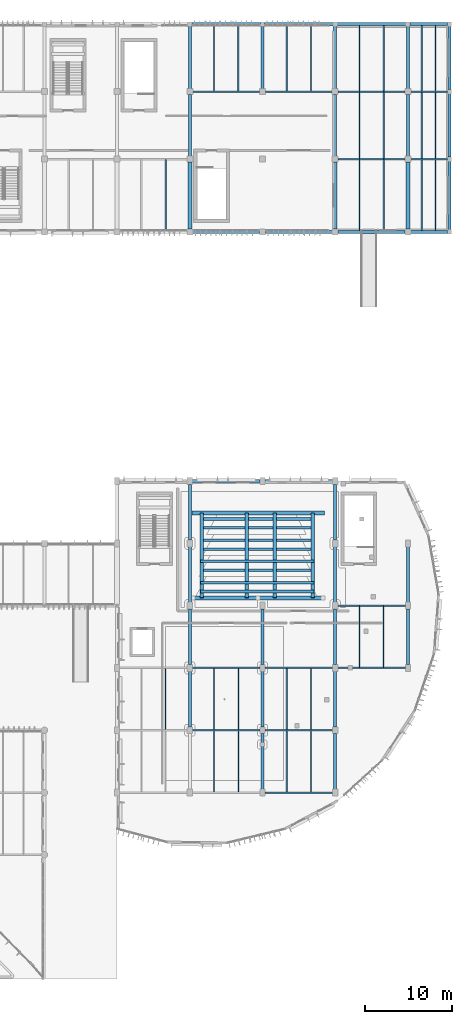
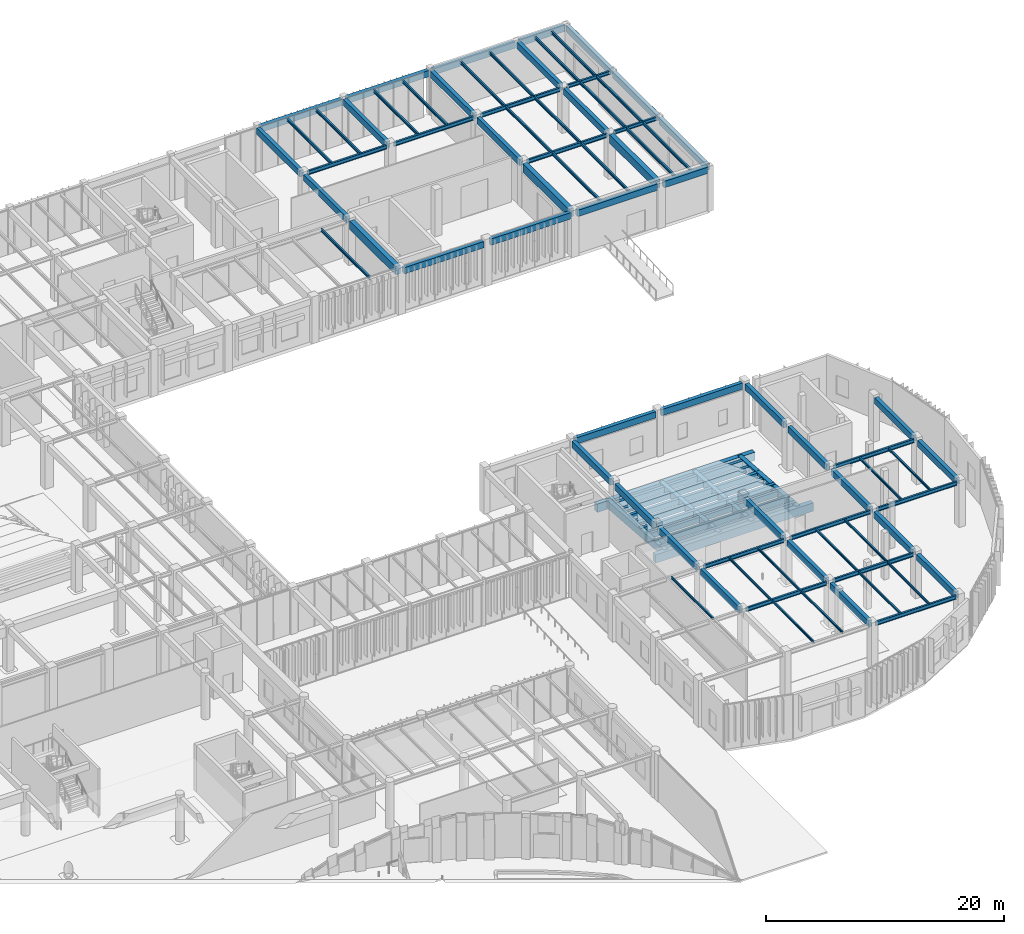
# One storey, part 14 of 122: 92 beams.
"""IFC4 building model written with IfcOpenShell, lengths in metres."""

from ifc_helpers import new_model, si_unit, direction, frame, origin, origin_2d, place, context, subcontext, project, spatial, rectangle, i_section, extrude, material, material_profile, profile_set, type_object, element, save


model = new_model("IFC4")

# Units and contexts
model_context = context("Model", 3, precision=1e-05, world=origin(), true_north=direction((0.0, 1.0)))
body_context = subcontext(model_context, "Body", "Model", "MODEL_VIEW")
ifc_project = project(units=[si_unit("LENGTHUNIT", "METRE"), si_unit("AREAUNIT", "SQUARE_METRE"), si_unit("VOLUMEUNIT", "CUBIC_METRE"), si_unit("PLANEANGLEUNIT", "RADIAN"), si_unit("MASSUNIT", "GRAM", prefix="KILO")], contexts=[model_context])

# Site, building, storey
site_placement = place(None, origin())
site = spatial("IfcSite", under=ifc_project, at=site_placement, CompositionType="ELEMENT")
building_placement = place(site_placement, origin())
building = spatial("IfcBuilding", under=site, at=building_placement, Name="Tazoul Stagehouse", CompositionType="ELEMENT")
storey_placement = place(building_placement, origin())
storey = spatial("IfcBuildingStorey", under=building, at=storey_placement, Name="L00", CompositionType="ELEMENT", Elevation=0.0)

# Beams
ifc_material_1 = material(Name="Concrete C40/50", Category="concrete")
ifc_material_profile_1 = material_profile(ifc_material_1, rectangle(XDim=0.39990234375, YDim=0.75, at=origin_2d()), Name="RC 400x750")
ifc_profile_set_1 = profile_set([ifc_material_profile_1], Name="Concrete C40/50")
beam_type_1 = type_object("IfcBeamType", Name="RC Auditorium Raker Girder 400x750", PredefinedType="BEAM", material=ifc_profile_set_1)
for number, where, z_axis, x_axis, name in (
    (1, (135.199951171875, 55.300048828125, -0.300048828125), (0.0, -0.997084363037, 0.076307096566), (1.0, 0.0, 0.0), "RAKER V4-STUDIO RB-01-01"),
    (2, (140.39990234375, 55.300048828125, -0.300048828125), (0.0, -0.997084363037, 0.076307096566), (1.0, 0.0, 0.0), "RAKER V4-STUDIO RB-01-02"),
    (3, (143.60009765625, 55.300048828125, -0.300048828125), (0.0, -0.997084363037, 0.076307096566), (1.0, 0.0, 0.0), "RAKER V4-STUDIO RB-01-03"),
    (4, (148.0, 55.300048828125, -0.300048828125), (0.0, -0.997084363037, 0.076307096566), (1.0, 0.0, 0.0), "RAKER V4-STUDIO RB-01-04"),
):
    element("IfcBeam", number, at=place(storey_placement, frame(where, z_axis=z_axis, x_axis=x_axis)), inside=storey, type_object=beam_type_1, Name=name, PredefinedType="BEAM", context=body_context, shape_type="SweptSolid", body=[
        extrude(rectangle(XDim=0.39990234375, YDim=0.75, at=origin_2d()), origin(), (0.0, 0.0, 1.0), 9.82861328125),
    ])
ifc_material_profile_2 = material_profile(ifc_material_1, rectangle(XDim=0.35009765625, YDim=0.64990234375, at=origin_2d()), Name="RC 350x650")
ifc_profile_set_2 = profile_set([ifc_material_profile_2], Name="Concrete C40/50")
beam_type_2 = type_object("IfcBeamType", Name="RC Perimeter Spandrel 350x650 (Exterior)", PredefinedType="SPANDREL", material=ifc_profile_set_2)
beam_1_placement = place(storey_placement, frame((134.074951171875, 59.0, 4.212890625), z_axis=(1.0, 0.0, 0.0), x_axis=(0.0, 1.0, 0.0)))
element("IfcBeam", 5, at=beam_1_placement, inside=storey, type_object=beam_type_2, Name="L00 Beam SP-01E J/20-21", PredefinedType="SPANDREL", context=body_context, shape_type="SweptSolid", body=[
    extrude(rectangle(XDim=0.35009765625, YDim=0.64990234375, at=origin_2d()), origin(), (0.0, 0.0, 1.0), 7.85009765625),
])
beam_2_placement = place(storey_placement, frame((142.47509765625, 59.0, 4.212890625), z_axis=(1.0, 0.0, 0.0), x_axis=(0.0, 1.0, 0.0)))
element("IfcBeam", 6, at=beam_2_placement, inside=storey, type_object=beam_type_2, Name="L00 Beam SP-01E J/21-22", PredefinedType="SPANDREL", context=body_context, shape_type="SweptSolid", body=[
    extrude(rectangle(XDim=0.35009765625, YDim=0.64990234375, at=origin_2d()), origin(), (0.0, 0.0, 1.0), 7.849853515625),
])
for number, where, z_axis, x_axis, name in (
    (7, (134.125, 87.800048828125, 4.212890625), (1.0, 0.0, 0.0), (0.0, 1.0, 0.0), "L00 Beam SP-01E N/20-21"),
    (8, (142.52490234375, 87.800048828125, 4.212890625), (1.0, 0.0, 0.0), (0.0, 1.0, 0.0), "L00 Beam SP-01E N/21-22"),
    (9, (150.925048828125, 87.800048828125, 4.212890625), (1.0, 0.0, 0.0), (0.0, 1.0, 0.0), "L00 Beam SP-01E N/22-23"),
):
    element("IfcBeam", number, at=place(storey_placement, frame(where, z_axis=z_axis, x_axis=x_axis)), inside=storey, type_object=beam_type_2, Name=name, PredefinedType="SPANDREL", context=body_context, shape_type="SweptSolid", body=[
        extrude(rectangle(XDim=0.35009765625, YDim=0.64990234375, at=origin_2d()), origin(), (0.0, 0.0, 1.0), 7.75),
    ])
beam_3_placement = place(storey_placement, frame((159.324951171875, 87.800048828125, 4.23291015625), z_axis=(1.0, 0.0, 0.0), x_axis=(0.0, 1.0, 0.0)))
element("IfcBeam", 10, at=beam_3_placement, inside=storey, type_object=beam_type_2, Name="L00 Beam SP-01E N/23-24", PredefinedType="SPANDREL", context=body_context, shape_type="SweptSolid", body=[
    extrude(rectangle(XDim=0.35009765625, YDim=0.64990234375, at=origin_2d()), origin(), (0.0, 0.0, 1.0), 4.25),
])
beam_4_placement = place(storey_placement, frame((134.02490234375, 111.800048828125, 4.212890625), z_axis=(1.0, 0.0, 0.0), x_axis=(0.0, 1.0, 0.0)))
element("IfcBeam", 11, at=beam_4_placement, inside=storey, type_object=beam_type_2, Name="L00 Beam SP-01E R/20-21", PredefinedType="SPANDREL", context=body_context, shape_type="SweptSolid", body=[
    extrude(rectangle(XDim=0.35009765625, YDim=0.64990234375, at=origin_2d()), origin(), (0.0, 0.0, 1.0), 7.9501953125),
])
for number, where, z_axis, x_axis, name in (
    (12, (142.425048828125, 111.800048828125, 4.212890625), (1.0, 0.0, 0.0), (0.0, 1.0, 0.0), "L00 Beam SP-01E R/21-22"),
    (13, (150.824951171875, 111.800048828125, 4.212890625), (1.0, 0.0, 0.0), (0.0, 1.0, 0.0), "L00 Beam SP-01E R/22-23"),
):
    element("IfcBeam", number, at=place(storey_placement, frame(where, z_axis=z_axis, x_axis=x_axis)), inside=storey, type_object=beam_type_2, Name=name, PredefinedType="SPANDREL", context=body_context, shape_type="SweptSolid", body=[
        extrude(rectangle(XDim=0.35009765625, YDim=0.64990234375, at=origin_2d()), origin(), (0.0, 0.0, 1.0), 7.949951171875),
    ])
beam_5_placement = place(storey_placement, frame((159.22509765625, 111.800048828125, 4.23291015625), z_axis=(1.0, 0.0, 0.0), x_axis=(0.0, 1.0, 0.0)))
element("IfcBeam", 14, at=beam_5_placement, inside=storey, type_object=beam_type_2, Name="L00 Beam SP-01E R/23-24", PredefinedType="SPANDREL", context=body_context, shape_type="SweptSolid", body=[
    extrude(rectangle(XDim=0.35009765625, YDim=0.64990234375, at=origin_2d()), origin(), (0.0, 0.0, 1.0), 4.349853515625),
])
beam_6_placement = place(storey_placement, frame((163.800048828125, 88.02490234375, 4.23291015625), z_axis=(0.0, 1.0, 0.0), x_axis=(-1.0, 0.0, 0.0)))
element("IfcBeam", 15, at=beam_6_placement, inside=storey, type_object=beam_type_2, Name="L00 Beam SP-01E 24/N-P", PredefinedType="SPANDREL", context=body_context, shape_type="SweptSolid", body=[
    extrude(rectangle(XDim=0.35009765625, YDim=0.64990234375, at=origin_2d()), origin(), (0.0, 0.0, 1.0), 7.9501953125),
])
for number, where, z_axis, x_axis, name in (
    (16, (163.800048828125, 96.425048828125, 4.23291015625), (0.0, 1.0, 0.0), (-1.0, 0.0, 0.0), "L00 Beam SP-01E 24/P-Q"),
    (17, (163.800048828125, 104.22509765625, 4.23291015625), (0.0, 1.0, 0.0), (-1.0, 0.0, 0.0), "L00 Beam SP-01E 24/Q-R"),
):
    element("IfcBeam", number, at=place(storey_placement, frame(where, z_axis=z_axis, x_axis=x_axis)), inside=storey, type_object=beam_type_2, Name=name, PredefinedType="SPANDREL", context=body_context, shape_type="SweptSolid", body=[
        extrude(rectangle(XDim=0.35009765625, YDim=0.64990234375, at=origin_2d()), origin(), (0.0, 0.0, 1.0), 7.349853515625),
    ])
ifc_material_profile_3 = material_profile(ifc_material_1, rectangle(XDim=0.35009765625, YDim=0.64990234375, at=origin_2d()), Name="RC 350x650")
ifc_profile_set_3 = profile_set([ifc_material_profile_3], Name="Concrete C40/50")
beam_type_3 = type_object("IfcBeamType", Name="RC Primary Girder 350x650", PredefinedType="BEAM", material=ifc_profile_set_3)
beam_7_placement = place(storey_placement, frame((133.800048828125, 30.574951171875, 4.212890625), z_axis=(0.0, 1.0, 0.0), x_axis=(-1.0, 0.0, 0.0)))
element("IfcBeam", 18, at=beam_7_placement, inside=storey, type_object=beam_type_3, Name="L00 Beam BM-01 20/E-F", PredefinedType="BEAM", context=body_context, shape_type="SweptSolid", body=[
    extrude(rectangle(XDim=0.35009765625, YDim=0.64990234375, at=origin_2d()), origin(), (0.0, 0.0, 1.0), 6.449951171875),
])
beam_8_placement = place(storey_placement, frame((133.800048828125, 37.77490234375, 4.212890625), z_axis=(0.0, 1.0, 0.0), x_axis=(-1.0, 0.0, 0.0)))
element("IfcBeam", 19, at=beam_8_placement, inside=storey, type_object=beam_type_3, Name="L00 Beam BM-01 20/F-G", PredefinedType="BEAM", context=body_context, shape_type="SweptSolid", body=[
    extrude(rectangle(XDim=0.35009765625, YDim=0.64990234375, at=origin_2d()), origin(), (0.0, 0.0, 1.0), 6.4501953125),
])
for number, where, z_axis, x_axis, name in (
    (20, (133.800048828125, 44.97509765625, 4.212890625), (0.0, 1.0, 0.0), (-1.0, 0.0, 0.0), "L00 Beam BM-01 20/G-H"),
    (21, (133.800048828125, 52.175048828125, 4.212890625), (0.0, 1.0, 0.0), (-1.0, 0.0, 0.0), "L00 Beam BM-01 20/H-J"),
):
    element("IfcBeam", number, at=place(storey_placement, frame(where, z_axis=z_axis, x_axis=x_axis)), inside=storey, type_object=beam_type_3, Name=name, PredefinedType="BEAM", context=body_context, shape_type="SweptSolid", body=[
        extrude(rectangle(XDim=0.35009765625, YDim=0.64990234375, at=origin_2d()), origin(), (0.0, 0.0, 1.0), 6.449951171875),
    ])
beam_9_placement = place(storey_placement, frame((133.800048828125, 96.52490234375, 4.212890625), z_axis=(0.0, 1.0, 0.0), x_axis=(-1.0, 0.0, 0.0)))
element("IfcBeam", 22, at=beam_9_placement, inside=storey, type_object=beam_type_3, Name="L00 Beam BM-01 20/P-Q", PredefinedType="BEAM", context=body_context, shape_type="SweptSolid", body=[
    extrude(rectangle(XDim=0.35009765625, YDim=0.64990234375, at=origin_2d()), origin(), (0.0, 0.0, 1.0), 7.150146484375),
])
beam_10_placement = place(storey_placement, frame((133.800048828125, 104.324951171875, 4.212890625), z_axis=(0.0, 1.0, 0.0), x_axis=(-1.0, 0.0, 0.0)))
element("IfcBeam", 23, at=beam_10_placement, inside=storey, type_object=beam_type_3, Name="L00 Beam BM-01 20/Q-R", PredefinedType="BEAM", context=body_context, shape_type="SweptSolid", body=[
    extrude(rectangle(XDim=0.35009765625, YDim=0.64990234375, at=origin_2d()), origin(), (0.0, 0.0, 1.0), 7.25),
])
for number, where, z_axis, x_axis, name in (
    (24, (142.199951171875, 23.375, 4.212890625), (0.0, 1.0, 0.0), (-1.0, 0.0, 0.0), "L00 Beam BM-01 21/D-E"),
    (25, (142.199951171875, 30.574951171875, 4.212890625), (0.0, 1.0, 0.0), (-1.0, 0.0, 0.0), "L00 Beam BM-01 21/E-F"),
):
    element("IfcBeam", number, at=place(storey_placement, frame(where, z_axis=z_axis, x_axis=x_axis)), inside=storey, type_object=beam_type_3, Name=name, PredefinedType="BEAM", context=body_context, shape_type="SweptSolid", body=[
        extrude(rectangle(XDim=0.35009765625, YDim=0.64990234375, at=origin_2d()), origin(), (0.0, 0.0, 1.0), 6.449951171875),
    ])
beam_11_placement = place(storey_placement, frame((142.199951171875, 37.77490234375, 4.212890625), z_axis=(0.0, 1.0, 0.0), x_axis=(-1.0, 0.0, 0.0)))
element("IfcBeam", 26, at=beam_11_placement, inside=storey, type_object=beam_type_3, Name="L00 Beam BM-01 21/F-G", PredefinedType="BEAM", context=body_context, shape_type="SweptSolid", body=[
    extrude(rectangle(XDim=0.35009765625, YDim=0.64990234375, at=origin_2d()), origin(), (0.0, 0.0, 1.0), 6.4501953125),
])
beam_12_placement = place(storey_placement, frame((142.199951171875, 104.324951171875, 4.212890625), z_axis=(0.0, 1.0, 0.0), x_axis=(-1.0, 0.0, 0.0)))
element("IfcBeam", 27, at=beam_12_placement, inside=storey, type_object=beam_type_3, Name="L00 Beam BM-01 21/Q-R", PredefinedType="BEAM", context=body_context, shape_type="SweptSolid", body=[
    extrude(rectangle(XDim=0.35009765625, YDim=0.64990234375, at=origin_2d()), origin(), (0.0, 0.0, 1.0), 7.25),
])
for number, where, z_axis, x_axis, name in (
    (28, (150.60009765625, 23.375, 4.212890625), (0.0, 1.0, 0.0), (-1.0, 0.0, 0.0), "L00 Beam BM-01 22/D-E"),
    (29, (150.60009765625, 30.574951171875, 4.212890625), (0.0, 1.0, 0.0), (-1.0, 0.0, 0.0), "L00 Beam BM-01 22/E-F"),
):
    element("IfcBeam", number, at=place(storey_placement, frame(where, z_axis=z_axis, x_axis=x_axis)), inside=storey, type_object=beam_type_3, Name=name, PredefinedType="BEAM", context=body_context, shape_type="SweptSolid", body=[
        extrude(rectangle(XDim=0.35009765625, YDim=0.64990234375, at=origin_2d()), origin(), (0.0, 0.0, 1.0), 6.449951171875),
    ])
beam_13_placement = place(storey_placement, frame((150.60009765625, 37.77490234375, 4.212890625), z_axis=(0.0, 1.0, 0.0), x_axis=(-1.0, 0.0, 0.0)))
element("IfcBeam", 30, at=beam_13_placement, inside=storey, type_object=beam_type_3, Name="L00 Beam BM-01 22/F-G", PredefinedType="BEAM", context=body_context, shape_type="SweptSolid", body=[
    extrude(rectangle(XDim=0.35009765625, YDim=0.64990234375, at=origin_2d()), origin(), (0.0, 0.0, 1.0), 6.4501953125),
])
for number, where, z_axis, x_axis, name in (
    (31, (150.60009765625, 44.97509765625, 4.212890625), (0.0, 1.0, 0.0), (-1.0, 0.0, 0.0), "L00 Beam BM-01 22/G-H"),
    (32, (150.60009765625, 52.175048828125, 4.212890625), (0.0, 1.0, 0.0), (-1.0, 0.0, 0.0), "L00 Beam BM-01 22/H-J"),
):
    element("IfcBeam", number, at=place(storey_placement, frame(where, z_axis=z_axis, x_axis=x_axis)), inside=storey, type_object=beam_type_3, Name=name, PredefinedType="BEAM", context=body_context, shape_type="SweptSolid", body=[
        extrude(rectangle(XDim=0.35009765625, YDim=0.64990234375, at=origin_2d()), origin(), (0.0, 0.0, 1.0), 6.449951171875),
    ])
beam_14_placement = place(storey_placement, frame((150.60009765625, 96.52490234375, 4.212890625), z_axis=(0.0, 1.0, 0.0), x_axis=(-1.0, 0.0, 0.0)))
element("IfcBeam", 33, at=beam_14_placement, inside=storey, type_object=beam_type_3, Name="L00 Beam BM-01 22/P-Q", PredefinedType="BEAM", context=body_context, shape_type="SweptSolid", body=[
    extrude(rectangle(XDim=0.35009765625, YDim=0.64990234375, at=origin_2d()), origin(), (0.0, 0.0, 1.0), 7.150146484375),
])
beam_15_placement = place(storey_placement, frame((150.60009765625, 104.324951171875, 4.212890625), z_axis=(0.0, 1.0, 0.0), x_axis=(-1.0, 0.0, 0.0)))
element("IfcBeam", 34, at=beam_15_placement, inside=storey, type_object=beam_type_3, Name="L00 Beam BM-01 22/Q-R", PredefinedType="BEAM", context=body_context, shape_type="SweptSolid", body=[
    extrude(rectangle(XDim=0.35009765625, YDim=0.64990234375, at=origin_2d()), origin(), (0.0, 0.0, 1.0), 7.25),
])
beam_16_placement = place(storey_placement, frame((159.0, 37.77490234375, 4.212890625), z_axis=(0.0, 1.0, 0.0), x_axis=(-1.0, 0.0, 0.0)))
element("IfcBeam", 35, at=beam_16_placement, inside=storey, type_object=beam_type_3, Name="L00 Beam BM-01 23/F-G", PredefinedType="BEAM", context=body_context, shape_type="SweptSolid", body=[
    extrude(rectangle(XDim=0.35009765625, YDim=0.64990234375, at=origin_2d()), origin(), (0.0, 0.0, 1.0), 6.4501953125),
])
beam_17_placement = place(storey_placement, frame((159.0, 44.97509765625, 4.212890625), z_axis=(0.0, 1.0, 0.0), x_axis=(-1.0, 0.0, 0.0)))
element("IfcBeam", 36, at=beam_17_placement, inside=storey, type_object=beam_type_3, Name="L00 Beam BM-01 23/G-H", PredefinedType="BEAM", context=body_context, shape_type="SweptSolid", body=[
    extrude(rectangle(XDim=0.35009765625, YDim=0.64990234375, at=origin_2d()), origin(), (0.0, 0.0, 1.0), 6.449951171875),
])
beam_18_placement = place(storey_placement, frame((159.0, 96.52490234375, 4.23291015625), z_axis=(0.0, 1.0, 0.0), x_axis=(-1.0, 0.0, 0.0)))
element("IfcBeam", 37, at=beam_18_placement, inside=storey, type_object=beam_type_3, Name="L00 Beam BM-01 23/P-Q", PredefinedType="BEAM", context=body_context, shape_type="SweptSolid", body=[
    extrude(rectangle(XDim=0.35009765625, YDim=0.64990234375, at=origin_2d()), origin(), (0.0, 0.0, 1.0), 7.150146484375),
])
beam_19_placement = place(storey_placement, frame((159.0, 104.324951171875, 4.23291015625), z_axis=(0.0, 1.0, 0.0), x_axis=(-1.0, 0.0, 0.0)))
element("IfcBeam", 38, at=beam_19_placement, inside=storey, type_object=beam_type_3, Name="L00 Beam BM-01 23/Q-R", PredefinedType="BEAM", context=body_context, shape_type="SweptSolid", body=[
    extrude(rectangle(XDim=0.35009765625, YDim=0.64990234375, at=origin_2d()), origin(), (0.0, 0.0, 1.0), 7.25),
])
ifc_material_profile_4 = material_profile(ifc_material_1, rectangle(XDim=0.449951171875, YDim=0.85009765625, at=origin_2d()), Name="RC 450x850")
ifc_profile_set_4 = profile_set([ifc_material_profile_4], Name="Concrete C40/50")
beam_type_4 = type_object("IfcBeamType", Name="RC Primary Girder 450x850", PredefinedType="BEAM", material=ifc_profile_set_4)
for number, where, z_axis, x_axis, name in (
    (39, (133.800048828125, 88.125, 4.113037109375), (0.0, 1.0, 0.0), (-1.0, 0.0, 0.0), "L00 Beam BM-03 20/N-P"),
    (40, (150.60009765625, 88.125, 4.113037109375), (0.0, 1.0, 0.0), (-1.0, 0.0, 0.0), "L00 Beam BM-03 22/N-P"),
    (41, (159.0, 88.125, 4.133056640625), (0.0, 1.0, 0.0), (-1.0, 0.0, 0.0), "L00 Beam BM-03 23/N-P"),
):
    element("IfcBeam", number, at=place(storey_placement, frame(where, z_axis=z_axis, x_axis=x_axis)), inside=storey, type_object=beam_type_4, Name=name, PredefinedType="BEAM", context=body_context, shape_type="SweptSolid", body=[
        extrude(rectangle(XDim=0.449951171875, YDim=0.85009765625, at=origin_2d()), origin(), (0.0, 0.0, 1.0), 7.75),
    ])
for number, where, z_axis, x_axis, name in (
    (42, (134.050048828125, 55.300048828125, -0.3701171875), (1.0, 0.0, 0.0), (0.0, 1.0, 0.0), "L00 Bowl FRT Carrier Girder BM-03 (V4-STUDIO)"),
    (43, (134.050048828125, 45.5, 0.3798828125), (1.0, 0.0, 0.0), (0.0, 1.0, 0.0), "L00 Bowl RER Carrier Girder BM-03 (V4-STUDIO)"),
):
    element("IfcBeam", number, at=place(storey_placement, frame(where, z_axis=z_axis, x_axis=x_axis)), inside=storey, type_object=beam_type_4, Name=name, PredefinedType="BEAM", context=body_context, shape_type="SweptSolid", body=[
        extrude(rectangle(XDim=0.449951171875, YDim=0.85009765625, at=origin_2d()), origin(), (0.0, 0.0, 1.0), 15.300048828125),
    ])
ifc_material_2 = material(Name="Concrete C35/45", Category="concrete")
ifc_material_profile_5 = material_profile(ifc_material_2, rectangle(XDim=0.300048828125, YDim=0.550048828125, at=origin_2d()), Name="RC 300x550")
ifc_profile_set_5 = profile_set([ifc_material_profile_5], Name="Concrete C35/45")
beam_type_5 = type_object("IfcBeamType", Name="RC Rib Joist 300x550", PredefinedType="JOIST", material=ifc_profile_set_5)
for number, where, z_axis, x_axis, name in (
    (44, (135.050048828125, 53.5849609375, -0.219970703125), (1.0, 0.0, 0.0), (0.0, 1.0, 0.0), "L00 Tier Transverse Rib JS-06 (V4-STUDIO-R01A)"),
    (45, (135.050048828125, 54.614013671875, -0.219970703125), (1.0, 0.0, 0.0), (0.0, 1.0, 0.0), "L00 Tier Transverse Rib JS-06 (V4-STUDIO-R01B)"),
    (46, (135.050048828125, 51.135009765625, 0.030029296875), (1.0, 0.0, 0.0), (0.0, 1.0, 0.0), "L00 Tier Transverse Rib JS-06 (V4-STUDIO-R02A)"),
    (47, (135.050048828125, 52.1640625, 0.030029296875), (1.0, 0.0, 0.0), (0.0, 1.0, 0.0), "L00 Tier Transverse Rib JS-06 (V4-STUDIO-R02B)"),
    (48, (135.050048828125, 48.68505859375, 0.280029296875), (1.0, 0.0, 0.0), (0.0, 1.0, 0.0), "L00 Tier Transverse Rib JS-06 (V4-STUDIO-R03A)"),
    (49, (135.050048828125, 49.714111328125, 0.280029296875), (1.0, 0.0, 0.0), (0.0, 1.0, 0.0), "L00 Tier Transverse Rib JS-06 (V4-STUDIO-R03B)"),
    (50, (135.050048828125, 46.235107421875, 0.530029296875), (1.0, 0.0, 0.0), (0.0, 1.0, 0.0), "L00 Tier Transverse Rib JS-06 (V4-STUDIO-R04A)"),
    (51, (135.050048828125, 47.263916015625, 0.530029296875), (1.0, 0.0, 0.0), (0.0, 1.0, 0.0), "L00 Tier Transverse Rib JS-06 (V4-STUDIO-R04B)"),
):
    element("IfcBeam", number, at=place(storey_placement, frame(where, z_axis=z_axis, x_axis=x_axis)), inside=storey, type_object=beam_type_5, Name=name, PredefinedType="JOIST", context=body_context, shape_type="SweptSolid", body=[
        extrude(rectangle(XDim=0.300048828125, YDim=0.550048828125, at=origin_2d()), origin(), (0.0, 0.0, 1.0), 13.099853515625),
    ])
ifc_material_3 = material(Name="Steel S355", Category="steel")
ifc_material_profile_6 = material_profile(ifc_material_3, i_section(OverallWidth=0.1201171875, OverallDepth=0.239990234375, WebThickness=0.006103515625, FlangeThickness=0.009765625, FilletRadius=0.014892578125, at=origin_2d()), Name="IPE 240")
ifc_profile_set_6 = profile_set([ifc_material_profile_6], Name="Steel S355")
beam_type_6 = type_object("IfcBeamType", Name="Steel Floor Joist IPE 240", PredefinedType="JOIST", material=ifc_profile_set_6)
for number, where, z_axis, x_axis, name in (
    (52, (136.60009765625, 23.06494140625, 4.41796875), (0.0, 1.0, 0.0), (-1.0, 0.0, 0.0), "L00 Joist JS-01 20/D-1"),
    (53, (139.39990234375, 23.06494140625, 4.41796875), (0.0, 1.0, 0.0), (-1.0, 0.0, 0.0), "L00 Joist JS-01 20/D-2"),
    (54, (145.0, 23.06494140625, 4.41796875), (0.0, 1.0, 0.0), (-1.0, 0.0, 0.0), "L00 Joist JS-01 21/D-1"),
    (55, (147.800048828125, 23.06494140625, 4.41796875), (0.0, 1.0, 0.0), (-1.0, 0.0, 0.0), "L00 Joist JS-01 21/D-2"),
    (56, (131.0, 30.264892578125, 4.41796875), (0.0, 1.0, 0.0), (-1.0, 0.0, 0.0), "L00 Joist JS-01 19/E-2"),
    (57, (136.60009765625, 30.264892578125, 4.41796875), (0.0, 1.0, 0.0), (-1.0, 0.0, 0.0), "L00 Joist JS-01 20/E-1"),
    (58, (139.39990234375, 30.264892578125, 4.41796875), (0.0, 1.0, 0.0), (-1.0, 0.0, 0.0), "L00 Joist JS-01 20/E-2"),
    (59, (145.0, 30.264892578125, 4.41796875), (0.0, 1.0, 0.0), (-1.0, 0.0, 0.0), "L00 Joist JS-01 21/E-1"),
    (60, (147.800048828125, 30.264892578125, 4.41796875), (0.0, 1.0, 0.0), (-1.0, 0.0, 0.0), "L00 Joist JS-01 21/E-2"),
):
    element("IfcBeam", number, at=place(storey_placement, frame(where, z_axis=z_axis, x_axis=x_axis)), inside=storey, type_object=beam_type_6, Name=name, PredefinedType="JOIST", context=body_context, shape_type="SweptSolid", body=[
        extrude(i_section(OverallWidth=0.1201171875, OverallDepth=0.239990234375, WebThickness=0.006103515625, FlangeThickness=0.009765625, FilletRadius=0.014892578125, at=origin_2d()), origin(), (0.0, 0.0, 1.0), 7.070068359375),
    ])
for number, where, z_axis, x_axis, name in (
    (61, (153.39990234375, 37.465087890625, 4.41796875), (0.0, 1.0, 0.0), (-1.0, 0.0, 0.0), "L00 Joist JS-01 22/F-1"),
    (62, (156.199951171875, 37.465087890625, 4.41796875), (0.0, 1.0, 0.0), (-1.0, 0.0, 0.0), "L00 Joist JS-01 22/F-2"),
):
    element("IfcBeam", number, at=place(storey_placement, frame(where, z_axis=z_axis, x_axis=x_axis)), inside=storey, type_object=beam_type_6, Name=name, PredefinedType="JOIST", context=body_context, shape_type="SweptSolid", body=[
        extrude(i_section(OverallWidth=0.1201171875, OverallDepth=0.239990234375, WebThickness=0.006103515625, FlangeThickness=0.009765625, FilletRadius=0.014892578125, at=origin_2d()), origin(), (0.0, 0.0, 1.0), 7.06982421875),
    ])
ifc_material_profile_7 = material_profile(ifc_material_3, i_section(OverallWidth=0.169921875, OverallDepth=0.360107421875, WebThickness=0.008056640625, FlangeThickness=0.0126953125, FilletRadius=0.01806640625, at=origin_2d()), Name="IPE 360")
ifc_profile_set_7 = profile_set([ifc_material_profile_7], Name="Steel S355")
beam_type_7 = type_object("IfcBeamType", Name="Steel Primary Girder IPE 360", PredefinedType="BEAM", material=ifc_profile_set_7)
for number, where, z_axis, x_axis, name in (
    (63, (159.324951171875, 96.199951171875, 4.3779296875), (1.0, 0.0, 0.0), (0.0, 1.0, 0.0), "L00 Beam SB-01 P/23-24"),
    (64, (159.324951171875, 104.0, 4.3779296875), (1.0, 0.0, 0.0), (0.0, 1.0, 0.0), "L00 Beam SB-01 Q/23-24"),
):
    element("IfcBeam", number, at=place(storey_placement, frame(where, z_axis=z_axis, x_axis=x_axis)), inside=storey, type_object=beam_type_7, Name=name, PredefinedType="BEAM", context=body_context, shape_type="SweptSolid", body=[
        extrude(i_section(OverallWidth=0.169921875, OverallDepth=0.360107421875, WebThickness=0.008056640625, FlangeThickness=0.0126953125, FilletRadius=0.01806640625, at=origin_2d()), origin(), (0.0, 0.0, 1.0), 4.25),
    ])
ifc_material_profile_8 = material_profile(ifc_material_3, i_section(OverallWidth=0.179931640625, OverallDepth=0.39990234375, WebThickness=0.008544921875, FlangeThickness=0.013427734375, FilletRadius=0.02099609375, at=origin_2d()), Name="IPE 400")
ifc_profile_set_8 = profile_set([ifc_material_profile_8], Name="Steel S355")
beam_type_8 = type_object("IfcBeamType", Name="Steel Primary Girder IPE 400", PredefinedType="BEAM", material=ifc_profile_set_8)
beam_20_placement = place(storey_placement, frame((142.47509765625, 23.0, 4.337890625), z_axis=(1.0, 0.0, 0.0), x_axis=(0.0, 1.0, 0.0)))
element("IfcBeam", 65, at=beam_20_placement, inside=storey, type_object=beam_type_8, Name="L00 Beam SB-02 D/21-22", PredefinedType="BEAM", context=body_context, shape_type="SweptSolid", body=[
    extrude(i_section(OverallWidth=0.179931640625, OverallDepth=0.39990234375, WebThickness=0.008544921875, FlangeThickness=0.013427734375, FilletRadius=0.02099609375, at=origin_2d()), origin(), (0.0, 0.0, 1.0), 7.849853515625),
])
beam_21_placement = place(storey_placement, frame((134.074951171875, 30.199951171875, 4.337890625), z_axis=(1.0, 0.0, 0.0), x_axis=(0.0, 1.0, 0.0)))
element("IfcBeam", 66, at=beam_21_placement, inside=storey, type_object=beam_type_8, Name="L00 Beam SB-02 E/20-21", PredefinedType="BEAM", context=body_context, shape_type="SweptSolid", body=[
    extrude(i_section(OverallWidth=0.179931640625, OverallDepth=0.39990234375, WebThickness=0.008544921875, FlangeThickness=0.013427734375, FilletRadius=0.02099609375, at=origin_2d()), origin(), (0.0, 0.0, 1.0), 7.85009765625),
])
beam_22_placement = place(storey_placement, frame((142.47509765625, 30.199951171875, 4.337890625), z_axis=(1.0, 0.0, 0.0), x_axis=(0.0, 1.0, 0.0)))
element("IfcBeam", 67, at=beam_22_placement, inside=storey, type_object=beam_type_8, Name="L00 Beam SB-02 E/21-22", PredefinedType="BEAM", context=body_context, shape_type="SweptSolid", body=[
    extrude(i_section(OverallWidth=0.179931640625, OverallDepth=0.39990234375, WebThickness=0.008544921875, FlangeThickness=0.013427734375, FilletRadius=0.02099609375, at=origin_2d()), origin(), (0.0, 0.0, 1.0), 7.849853515625),
])
beam_23_placement = place(storey_placement, frame((134.074951171875, 37.39990234375, 4.337890625), z_axis=(1.0, 0.0, 0.0), x_axis=(0.0, 1.0, 0.0)))
element("IfcBeam", 68, at=beam_23_placement, inside=storey, type_object=beam_type_8, Name="L00 Beam SB-02 F/20-21", PredefinedType="BEAM", context=body_context, shape_type="SweptSolid", body=[
    extrude(i_section(OverallWidth=0.179931640625, OverallDepth=0.39990234375, WebThickness=0.008544921875, FlangeThickness=0.013427734375, FilletRadius=0.02099609375, at=origin_2d()), origin(), (0.0, 0.0, 1.0), 7.85009765625),
])
beam_24_placement = place(storey_placement, frame((142.47509765625, 37.39990234375, 4.337890625), z_axis=(1.0, 0.0, 0.0), x_axis=(0.0, 1.0, 0.0)))
element("IfcBeam", 69, at=beam_24_placement, inside=storey, type_object=beam_type_8, Name="L00 Beam SB-02 F/21-22", PredefinedType="BEAM", context=body_context, shape_type="SweptSolid", body=[
    extrude(i_section(OverallWidth=0.179931640625, OverallDepth=0.39990234375, WebThickness=0.008544921875, FlangeThickness=0.013427734375, FilletRadius=0.02099609375, at=origin_2d()), origin(), (0.0, 0.0, 1.0), 7.849853515625),
])
for number, where, z_axis, x_axis, name in (
    (70, (150.875, 37.39990234375, 4.337890625), (1.0, 0.0, 0.0), (0.0, 1.0, 0.0), "L00 Beam SB-02 F/22-23"),
    (71, (150.875, 44.60009765625, 4.337890625), (1.0, 0.0, 0.0), (0.0, 1.0, 0.0), "L00 Beam SB-02 G/22-23"),
):
    element("IfcBeam", number, at=place(storey_placement, frame(where, z_axis=z_axis, x_axis=x_axis)), inside=storey, type_object=beam_type_8, Name=name, PredefinedType="BEAM", context=body_context, shape_type="SweptSolid", body=[
        extrude(i_section(OverallWidth=0.179931640625, OverallDepth=0.39990234375, WebThickness=0.008544921875, FlangeThickness=0.013427734375, FilletRadius=0.02099609375, at=origin_2d()), origin(), (0.0, 0.0, 1.0), 7.85009765625),
    ])
for number, where, z_axis, x_axis, name in (
    (72, (150.925048828125, 96.199951171875, 4.337890625), (1.0, 0.0, 0.0), (0.0, 1.0, 0.0), "L00 Beam SB-02 P/22-23"),
    (73, (134.125, 104.0, 4.337890625), (1.0, 0.0, 0.0), (0.0, 1.0, 0.0), "L00 Beam SB-02 Q/20-21"),
    (74, (142.52490234375, 104.0, 4.337890625), (1.0, 0.0, 0.0), (0.0, 1.0, 0.0), "L00 Beam SB-02 Q/21-22"),
    (75, (150.925048828125, 104.0, 4.337890625), (1.0, 0.0, 0.0), (0.0, 1.0, 0.0), "L00 Beam SB-02 Q/22-23"),
):
    element("IfcBeam", number, at=place(storey_placement, frame(where, z_axis=z_axis, x_axis=x_axis)), inside=storey, type_object=beam_type_8, Name=name, PredefinedType="BEAM", context=body_context, shape_type="SweptSolid", body=[
        extrude(i_section(OverallWidth=0.179931640625, OverallDepth=0.39990234375, WebThickness=0.008544921875, FlangeThickness=0.013427734375, FilletRadius=0.02099609375, at=origin_2d()), origin(), (0.0, 0.0, 1.0), 7.75),
    ])
ifc_material_profile_9 = material_profile(ifc_material_3, i_section(OverallWidth=0.14990234375, OverallDepth=0.300048828125, WebThickness=0.007080078125, FlangeThickness=0.0107421875, FilletRadius=0.014892578125, at=origin_2d()), Name="IPE 300")
ifc_profile_set_9 = profile_set([ifc_material_profile_9], Name="Steel S355")
beam_type_9 = type_object("IfcBeamType", Name="Steel Stage Joist IPE 300", PredefinedType="JOIST", material=ifc_profile_set_9)
for number, where, z_axis, x_axis, name in (
    (76, (131.0, 87.949951171875, 4.387939453125), (0.0, 1.0, 0.0), (-1.0, 0.0, 0.0), "L00 Joist JS-03 19/N-2"),
    (77, (153.39990234375, 87.949951171875, 4.387939453125), (0.0, 1.0, 0.0), (-1.0, 0.0, 0.0), "L00 Joist JS-03 22/N-1"),
    (78, (156.199951171875, 87.949951171875, 4.387939453125), (0.0, 1.0, 0.0), (-1.0, 0.0, 0.0), "L00 Joist JS-03 22/N-2"),
):
    element("IfcBeam", number, at=place(storey_placement, frame(where, z_axis=z_axis, x_axis=x_axis)), inside=storey, type_object=beam_type_9, Name=name, PredefinedType="JOIST", context=body_context, shape_type="SweptSolid", body=[
        extrude(i_section(OverallWidth=0.14990234375, OverallDepth=0.300048828125, WebThickness=0.007080078125, FlangeThickness=0.0107421875, FilletRadius=0.014892578125, at=origin_2d()), origin(), (0.0, 0.0, 1.0), 8.18505859375),
    ])
for number, where, z_axis, x_axis, name in (
    (79, (160.60009765625, 87.949951171875, 4.407958984375), (0.0, 1.0, 0.0), (-1.0, 0.0, 0.0), "L00 Joist JS-03 23/N-1"),
    (80, (162.199951171875, 87.949951171875, 4.407958984375), (0.0, 1.0, 0.0), (-1.0, 0.0, 0.0), "L00 Joist JS-03 23/N-2"),
):
    element("IfcBeam", number, at=place(storey_placement, frame(where, z_axis=z_axis, x_axis=x_axis)), inside=storey, type_object=beam_type_9, Name=name, PredefinedType="JOIST", context=body_context, shape_type="SweptSolid", body=[
        extrude(i_section(OverallWidth=0.14990234375, OverallDepth=0.300048828125, WebThickness=0.007080078125, FlangeThickness=0.0107421875, FilletRadius=0.014892578125, at=origin_2d()), origin(), (0.0, 0.0, 1.0), 8.18994140625),
    ])
for number, where, z_axis, x_axis, name in (
    (81, (153.39990234375, 96.264892578125, 4.387939453125), (0.0, 1.0, 0.0), (-1.0, 0.0, 0.0), "L00 Joist JS-03 22/P-1"),
    (82, (156.199951171875, 96.264892578125, 4.387939453125), (0.0, 1.0, 0.0), (-1.0, 0.0, 0.0), "L00 Joist JS-03 22/P-2"),
):
    element("IfcBeam", number, at=place(storey_placement, frame(where, z_axis=z_axis, x_axis=x_axis)), inside=storey, type_object=beam_type_9, Name=name, PredefinedType="JOIST", context=body_context, shape_type="SweptSolid", body=[
        extrude(i_section(OverallWidth=0.14990234375, OverallDepth=0.300048828125, WebThickness=0.007080078125, FlangeThickness=0.0107421875, FilletRadius=0.014892578125, at=origin_2d()), origin(), (0.0, 0.0, 1.0), 7.670166015625),
    ])
for number, where, z_axis, x_axis, name in (
    (83, (160.60009765625, 96.260009765625, 4.407958984375), (0.0, 1.0, 0.0), (-1.0, 0.0, 0.0), "L00 Joist JS-03 23/P-1"),
    (84, (162.199951171875, 96.260009765625, 4.407958984375), (0.0, 1.0, 0.0), (-1.0, 0.0, 0.0), "L00 Joist JS-03 23/P-2"),
):
    element("IfcBeam", number, at=place(storey_placement, frame(where, z_axis=z_axis, x_axis=x_axis)), inside=storey, type_object=beam_type_9, Name=name, PredefinedType="JOIST", context=body_context, shape_type="SweptSolid", body=[
        extrude(i_section(OverallWidth=0.14990234375, OverallDepth=0.300048828125, WebThickness=0.007080078125, FlangeThickness=0.0107421875, FilletRadius=0.014892578125, at=origin_2d()), origin(), (0.0, 0.0, 1.0), 7.679931640625),
    ])
for number, where, z_axis, x_axis, name in (
    (85, (136.60009765625, 104.06494140625, 4.387939453125), (0.0, 1.0, 0.0), (-1.0, 0.0, 0.0), "L00 Joist JS-03 20/Q-1"),
    (86, (139.39990234375, 104.06494140625, 4.387939453125), (0.0, 1.0, 0.0), (-1.0, 0.0, 0.0), "L00 Joist JS-03 20/Q-2"),
    (87, (145.0, 104.06494140625, 4.387939453125), (0.0, 1.0, 0.0), (-1.0, 0.0, 0.0), "L00 Joist JS-03 21/Q-1"),
    (88, (147.800048828125, 104.06494140625, 4.387939453125), (0.0, 1.0, 0.0), (-1.0, 0.0, 0.0), "L00 Joist JS-03 21/Q-2"),
    (89, (153.39990234375, 104.06494140625, 4.387939453125), (0.0, 1.0, 0.0), (-1.0, 0.0, 0.0), "L00 Joist JS-03 22/Q-1"),
    (90, (156.199951171875, 104.06494140625, 4.387939453125), (0.0, 1.0, 0.0), (-1.0, 0.0, 0.0), "L00 Joist JS-03 22/Q-2"),
):
    element("IfcBeam", number, at=place(storey_placement, frame(where, z_axis=z_axis, x_axis=x_axis)), inside=storey, type_object=beam_type_9, Name=name, PredefinedType="JOIST", context=body_context, shape_type="SweptSolid", body=[
        extrude(i_section(OverallWidth=0.14990234375, OverallDepth=0.300048828125, WebThickness=0.007080078125, FlangeThickness=0.0107421875, FilletRadius=0.014892578125, at=origin_2d()), origin(), (0.0, 0.0, 1.0), 7.5849609375),
    ])
for number, where, z_axis, x_axis, name in (
    (91, (160.60009765625, 104.06005859375, 4.407958984375), (0.0, 1.0, 0.0), (-1.0, 0.0, 0.0), "L00 Joist JS-03 23/Q-1"),
    (92, (162.199951171875, 104.06005859375, 4.407958984375), (0.0, 1.0, 0.0), (-1.0, 0.0, 0.0), "L00 Joist JS-03 23/Q-2"),
):
    element("IfcBeam", number, at=place(storey_placement, frame(where, z_axis=z_axis, x_axis=x_axis)), inside=storey, type_object=beam_type_9, Name=name, PredefinedType="JOIST", context=body_context, shape_type="SweptSolid", body=[
        extrude(i_section(OverallWidth=0.14990234375, OverallDepth=0.300048828125, WebThickness=0.007080078125, FlangeThickness=0.0107421875, FilletRadius=0.014892578125, at=origin_2d()), origin(), (0.0, 0.0, 1.0), 7.58984375),
    ])

save(model, "model.ifc")
